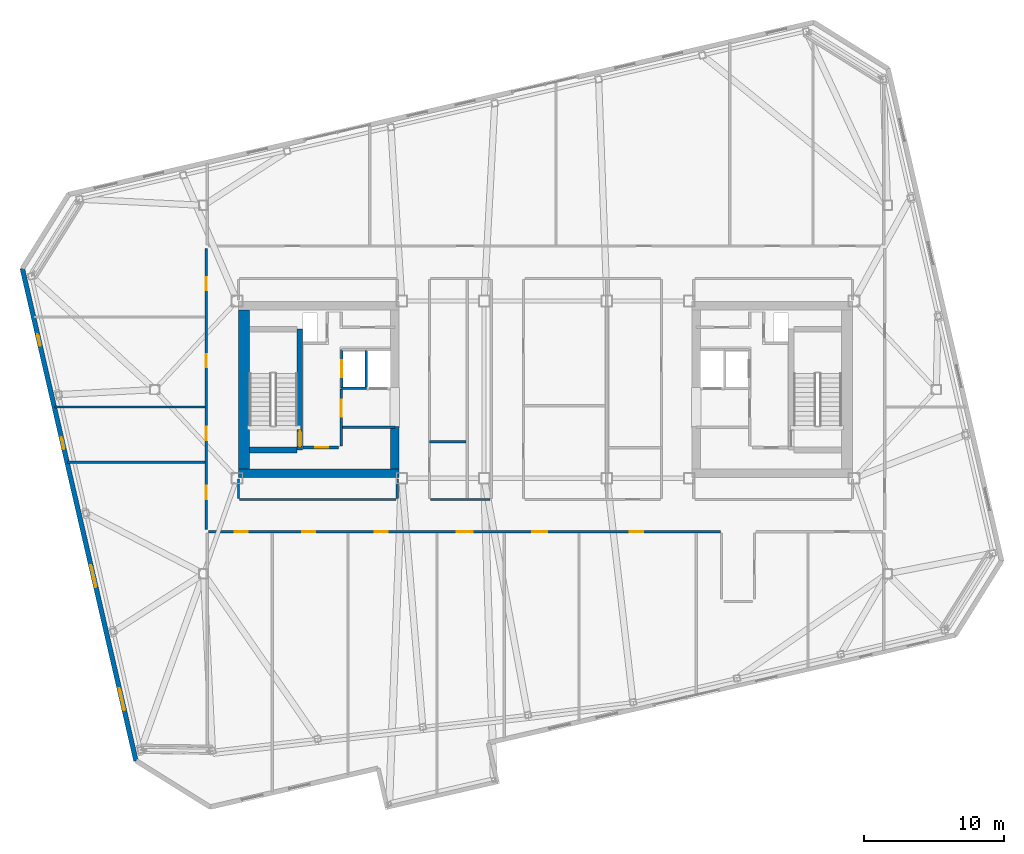
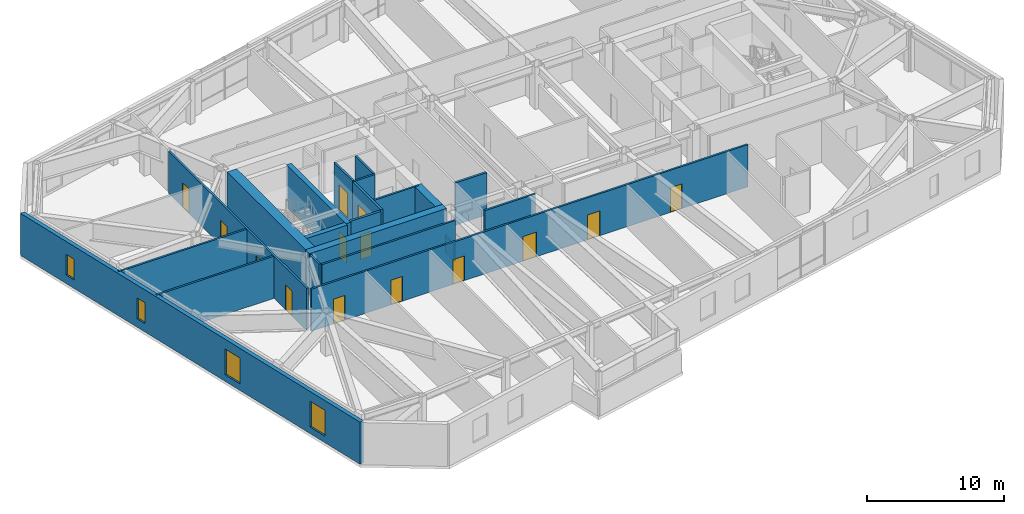
# One storey, part 14 of 21: 21 walls, 14 doors, 4 windows, 18 openings.
"""IFC4 building model written with IfcOpenShell, lengths in metres."""

from ifc_helpers import new_model, si_unit, direction, frame, frame_2d, origin, place, context, subcontext, project, spatial, rectangle, extrude, material, layer, layer_set, type_object, element, fill, save


model = new_model("IFC4")

# Units and contexts
model_context = context("Model", 3, precision=1e-05, world=origin(), true_north=direction((0.0, 1.0)))
body_context = subcontext(model_context, "Body", "Model", "MODEL_VIEW")
ifc_project = project(units=[si_unit("LENGTHUNIT", "METRE"), si_unit("AREAUNIT", "SQUARE_METRE"), si_unit("VOLUMEUNIT", "CUBIC_METRE"), si_unit("PLANEANGLEUNIT", "RADIAN"), si_unit("MASSUNIT", "GRAM", prefix="KILO")], contexts=[model_context])

# Site, building, storey
site_placement = place(None, origin())
site = spatial("IfcSite", under=ifc_project, at=site_placement, CompositionType="ELEMENT")
building_placement = place(site_placement, origin())
building = spatial("IfcBuilding", under=site, at=building_placement, Name="Tavrogorsk Clinical Tower", CompositionType="ELEMENT")
storey_placement = place(building_placement, frame((0.0, 0.0, 281.0)))
storey = spatial("IfcBuildingStorey", under=building, at=storey_placement, Name="L65", CompositionType="ELEMENT", Elevation=281.0)

# Wall, opening, door
ifc_material_1 = material(Name="Concrete B60", Category="concrete")
ifc_layer_1 = layer(ifc_material_1, 0.199951171875)
ifc_layer_set_1 = layer_set([ifc_layer_1], Name="Concrete B60")
wall_type_1 = type_object("IfcWallType", Name="CoreFireWall_200", PredefinedType="SOLIDWALL", material=ifc_layer_set_1)
wall_1_placement = place(storey_placement, frame((-17.3798828125, -4.139892578125, 0.0), z_axis=(0.0, 0.0, 1.0), x_axis=(1.0, 0.0, 0.0)))
wall_1 = element("IfcWall", 1, at=wall_1_placement, inside=storey, type_object=wall_type_1, Name="L65 Core West South Core Room Fire Wall", PredefinedType="SOLIDWALL", context=body_context, shape_type="SweptSolid", body=[
    extrude(rectangle(XDim=2.554931640625, YDim=0.199951171875, at=frame_2d((1.27734375, 0.0))), origin(), (0.0, 0.0, 1.0), 3.739990234375),
])
opening_1_placement = place(wall_1_placement, frame((0.8798828125, 0.0, 0.0)))
opening_1 = element("IfcOpeningElement", 2, at=opening_1_placement, cuts=wall_1, Name="Opening ID-02", PredefinedType="OPENING", context=body_context, shape_type="SweptSolid", body=[
    extrude(rectangle(XDim=0.949951171875, YDim=2.199951171875, at=frame_2d((0.47509765625, 1.10009765625))), frame((0.0, 0.10986328125, 0.0), z_axis=(0.0, -1.0, 0.0), x_axis=(1.0, 0.0, 0.0)), (0.0, 0.0, 1.0), 0.219970703125),
])
ifc_material_2 = material(Name="Laminated timber leaf on aluminium frame", Category="wood")
door_type_1 = type_object("IfcDoorType", Name="InteriorDoor_ID02_950", OperationType="NOTDEFINED", PredefinedType="DOOR", material=ifc_material_2)
door_1_placement = place(opening_1_placement, origin())
door_1 = element("IfcDoor", 3, at=door_1_placement, inside=storey, type_object=door_type_1, Name="L65 Core West South Core Room Door", OperationType="SINGLE_SWING_RIGHT", OverallHeight=2.199951171875, OverallWidth=0.949951171875, PredefinedType="DOOR", context=body_context, shape_type="SweptSolid", body=[
    extrude(rectangle(XDim=0.949951171875, YDim=2.199951171875, at=frame_2d((0.47509765625, 1.10009765625))), frame((0.0, 0.02490234375, 0.0), z_axis=(0.0, -1.0, 0.0), x_axis=(1.0, 0.0, 0.0)), (0.0, 0.0, 1.0), 0.050048828125),
])
fill(opening_1, door_1)

wall_2_placement = place(storey_placement, frame((-14.639892578125, -4.034912109375, 0.0), z_axis=(0.0, 0.0, 1.0), x_axis=(0.0, 1.0, 0.0)))
wall_2 = element("IfcWall", 4, at=wall_2_placement, inside=storey, type_object=wall_type_1, Name="L65 Core West Firefighting Lobby Fire Wall", PredefinedType="SOLIDWALL", context=body_context, shape_type="SweptSolid", body=[
    extrude(rectangle(XDim=4.074951171875, YDim=0.199951171875, at=frame_2d((2.03759765625, 0.0))), origin(), (0.0, 0.0, 1.0), 3.739990234375),
])
opening_2_placement = place(wall_2_placement, frame((2.090087890625, 0.0, 0.0)))
opening_2 = element("IfcOpeningElement", 5, at=opening_2_placement, cuts=wall_2, Name="Opening FD-01", PredefinedType="OPENING", context=body_context, shape_type="SweptSolid", body=[
    extrude(rectangle(XDim=1.199951171875, YDim=2.199951171875, at=frame_2d((0.60009765625, 1.10009765625))), frame((0.0, 0.10986328125, 0.0), z_axis=(0.0, -1.0, 0.0), x_axis=(1.0, 0.0, 0.0)), (0.0, 0.0, 1.0), 0.219970703125),
])
ifc_material_3 = material(Name="Galvanised steel fire-rated door assembly", Category="steel")
door_type_2 = type_object("IfcDoorType", Name="FireDoor_FD01_1200", OperationType="NOTDEFINED", PredefinedType="DOOR", material=ifc_material_3)
door_2_placement = place(opening_2_placement, origin())
door_2 = element("IfcDoor", 6, at=door_2_placement, inside=storey, type_object=door_type_2, Name="L65 Core West Firefighting Lobby Entry Door", OperationType="SINGLE_SWING_RIGHT", OverallHeight=2.199951171875, OverallWidth=1.199951171875, PredefinedType="DOOR", context=body_context, shape_type="SweptSolid", body=[
    extrude(rectangle(XDim=1.199951171875, YDim=2.199951171875, at=frame_2d((0.60009765625, 1.10009765625))), frame((0.0, 0.02490234375, 0.0), z_axis=(0.0, -1.0, 0.0), x_axis=(1.0, 0.0, 0.0)), (0.0, 0.0, 1.0), 0.050048828125),
])
fill(opening_2, door_2)

# Wall
ifc_material_4 = material(Name="Lightweight concrete blockwork B15", Category="masonry")
ifc_layer_2 = layer(ifc_material_4, 0.159912109375)
ifc_layer_set_2 = layer_set([ifc_layer_2], Name="Lightweight concrete blockwork B15")
wall_type_2 = type_object("IfcWallType", Name="PartitionWall_160", PredefinedType="PARTITIONING", material=ifc_layer_set_2)
wall_3_placement = place(storey_placement, frame((-14.534912109375, -2.699951171875, 0.0), z_axis=(0.0, 0.0, 1.0), x_axis=(1.0, 0.0, 0.0)))
element("IfcWall", 7, at=wall_3_placement, inside=storey, type_object=wall_type_2, Name="L65 Core West Freed Mid-Bank North Partition", PredefinedType="PARTITIONING", context=body_context, shape_type="SweptSolid", body=[
    extrude(rectangle(XDim=3.73486328125, YDim=0.159912109375, at=frame_2d((1.867431640625, 0.0))), origin(), (0.0, 0.0, 1.0), 3.739990234375),
])

# Wall, openings, doors
wall_4_placement = place(storey_placement, frame((-24.31005859375, -10.014892578125, 0.0), z_axis=(0.0, 0.0, 1.0), x_axis=(0.0, 1.0, 0.0)))
wall_4 = element("IfcWall", 8, at=wall_4_placement, inside=storey, type_object=wall_type_2, Name="L65 Corridor Partition 01", PredefinedType="PARTITIONING", context=body_context, shape_type="SweptSolid", body=[
    extrude(rectangle(XDim=20.1298828125, YDim=0.159912109375, at=frame_2d((10.06494140625, 0.0))), origin(), (0.0, 0.0, 1.0), 3.739990234375),
])
opening_3_placement = place(wall_4_placement, frame((2.169189453125, 0.0, 0.0)))
opening_3 = element("IfcOpeningElement", 9, at=opening_3_placement, cuts=wall_4, Name="Opening ID-02", PredefinedType="OPENING", context=body_context, shape_type="SweptSolid", body=[
    extrude(rectangle(XDim=0.949951171875, YDim=2.199951171875, at=frame_2d((0.47509765625, 1.10009765625))), frame((0.0, 0.08984375, 0.0), z_axis=(0.0, -1.0, 0.0), x_axis=(1.0, 0.0, 0.0)), (0.0, 0.0, 1.0), 0.179931640625),
])
opening_4_placement = place(wall_4_placement, frame((6.39990234375, 0.0, 0.0)))
opening_4 = element("IfcOpeningElement", 10, at=opening_4_placement, cuts=wall_4, Name="Opening ID-02", PredefinedType="OPENING", context=body_context, shape_type="SweptSolid", body=[
    extrude(rectangle(XDim=0.949951171875, YDim=2.199951171875, at=frame_2d((0.47509765625, 1.10009765625))), frame((0.0, 0.08984375, 0.0), z_axis=(0.0, -1.0, 0.0), x_axis=(1.0, 0.0, 0.0)), (0.0, 0.0, 1.0), 0.179931640625),
])
opening_5_placement = place(wall_4_placement, frame((11.60009765625, 0.0, 0.0)))
opening_5 = element("IfcOpeningElement", 11, at=opening_5_placement, cuts=wall_4, Name="Opening ID-02", PredefinedType="OPENING", context=body_context, shape_type="SweptSolid", body=[
    extrude(rectangle(XDim=0.949951171875, YDim=2.199951171875, at=frame_2d((0.47509765625, 1.10009765625))), frame((0.0, 0.08984375, 0.0), z_axis=(0.0, -1.0, 0.0), x_axis=(1.0, 0.0, 0.0)), (0.0, 0.0, 1.0), 0.179931640625),
])
opening_6_placement = place(wall_4_placement, frame((17.130859375, 0.0, 0.0)))
opening_6 = element("IfcOpeningElement", 12, at=opening_6_placement, cuts=wall_4, Name="Opening ID-02", PredefinedType="OPENING", context=body_context, shape_type="SweptSolid", body=[
    extrude(rectangle(XDim=0.949951171875, YDim=2.199951171875, at=frame_2d((0.47509765625, 1.10009765625))), frame((0.0, 0.08984375, 0.0), z_axis=(0.0, -1.0, 0.0), x_axis=(1.0, 0.0, 0.0)), (0.0, 0.0, 1.0), 0.179931640625),
])
door_3_placement = place(opening_3_placement, origin())
door_3 = element("IfcDoor", 13, at=door_3_placement, inside=storey, type_object=door_type_1, Name="L65 W Solarium Day Room & Lounge 1 Door", OperationType="SINGLE_SWING_RIGHT", OverallHeight=2.199951171875, OverallWidth=0.949951171875, PredefinedType="DOOR", context=body_context, shape_type="SweptSolid", body=[
    extrude(rectangle(XDim=0.949951171875, YDim=2.199951171875, at=frame_2d((0.47509765625, 1.10009765625))), frame((0.0, 0.02490234375, 0.0), z_axis=(0.0, -1.0, 0.0), x_axis=(1.0, 0.0, 0.0)), (0.0, 0.0, 1.0), 0.050048828125),
])
fill(opening_3, door_3)
door_4_placement = place(opening_4_placement, origin())
door_4 = element("IfcDoor", 14, at=door_4_placement, inside=storey, type_object=door_type_1, Name="L65 W Rehabilitation Therapy Suite 2 Door", OperationType="SINGLE_SWING_LEFT", OverallHeight=2.199951171875, OverallWidth=0.949951171875, PredefinedType="DOOR", context=body_context, shape_type="SweptSolid", body=[
    extrude(rectangle(XDim=0.949951171875, YDim=2.199951171875, at=frame_2d((0.47509765625, 1.10009765625))), frame((0.0, 0.02490234375, 0.0), z_axis=(0.0, -1.0, 0.0), x_axis=(1.0, 0.0, 0.0)), (0.0, 0.0, 1.0), 0.050048828125),
])
fill(opening_4, door_4)
door_5_placement = place(opening_5_placement, origin())
door_5 = element("IfcDoor", 15, at=door_5_placement, inside=storey, type_object=door_type_1, Name="L65 W Sub-Acute Observation Suite 3 Door", OperationType="SINGLE_SWING_RIGHT", OverallHeight=2.199951171875, OverallWidth=0.949951171875, PredefinedType="DOOR", context=body_context, shape_type="SweptSolid", body=[
    extrude(rectangle(XDim=0.949951171875, YDim=2.199951171875, at=frame_2d((0.47509765625, 1.10009765625))), frame((0.0, 0.02490234375, 0.0), z_axis=(0.0, -1.0, 0.0), x_axis=(1.0, 0.0, 0.0)), (0.0, 0.0, 1.0), 0.050048828125),
])
fill(opening_5, door_5)
door_6_placement = place(opening_6_placement, origin())
door_6 = element("IfcDoor", 16, at=door_6_placement, inside=storey, type_object=door_type_1, Name="L65 W Family Consultation Lounge 4 Door", OperationType="SINGLE_SWING_LEFT", OverallHeight=2.199951171875, OverallWidth=0.949951171875, PredefinedType="DOOR", context=body_context, shape_type="SweptSolid", body=[
    extrude(rectangle(XDim=0.949951171875, YDim=2.199951171875, at=frame_2d((0.47509765625, 1.10009765625))), frame((0.0, 0.02490234375, 0.0), z_axis=(0.0, -1.0, 0.0), x_axis=(1.0, 0.0, 0.0)), (0.0, 0.0, 1.0), 0.050048828125),
])
fill(opening_6, door_6)

wall_5_placement = place(storey_placement, frame((12.534912109375, -10.179931640625, 0.0), z_axis=(0.0, 0.0, 1.0), x_axis=(-1.0, 0.0, 0.0)))
wall_5 = element("IfcWall", 17, at=wall_5_placement, inside=storey, type_object=wall_type_2, Name="L65 Corridor Partition 08", PredefinedType="PARTITIONING", context=body_context, shape_type="SweptSolid", body=[
    extrude(rectangle(XDim=36.679931640625, YDim=0.159912109375, at=frame_2d((18.33984375, 0.0))), origin(), (0.0, 0.0, 1.0), 3.739990234375),
])
opening_7_placement = place(wall_5_placement, frame((33.85595703125, 0.0, 0.0)))
opening_7 = element("IfcOpeningElement", 18, at=opening_7_placement, cuts=wall_5, Name="Opening ID-02", PredefinedType="OPENING", context=body_context, shape_type="SweptSolid", body=[
    extrude(rectangle(XDim=0.949951171875, YDim=2.199951171875, at=frame_2d((0.47509765625, 1.10009765625))), frame((0.0, 0.08984375, 0.0), z_axis=(0.0, -1.0, 0.0), x_axis=(1.0, 0.0, 0.0)), (0.0, 0.0, 1.0), 0.179931640625),
])
opening_8_placement = place(wall_5_placement, frame((29.014892578125, 0.0, 0.0)))
opening_8 = element("IfcOpeningElement", 19, at=opening_8_placement, cuts=wall_5, Name="Opening ID-02", PredefinedType="OPENING", context=body_context, shape_type="SweptSolid", body=[
    extrude(rectangle(XDim=0.949951171875, YDim=2.199951171875, at=frame_2d((0.47509765625, 1.10009765625))), frame((0.0, 0.08984375, 0.0), z_axis=(0.0, -1.0, 0.0), x_axis=(1.0, 0.0, 0.0)), (0.0, 0.0, 1.0), 0.179931640625),
])
opening_9_placement = place(wall_5_placement, frame((23.830078125, 0.0, 0.0)))
opening_9 = element("IfcOpeningElement", 20, at=opening_9_placement, cuts=wall_5, Name="Opening ID-02", PredefinedType="OPENING", context=body_context, shape_type="SweptSolid", body=[
    extrude(rectangle(XDim=0.949951171875, YDim=2.199951171875, at=frame_2d((0.47509765625, 1.10009765625))), frame((0.0, 0.08984375, 0.0), z_axis=(0.0, -1.0, 0.0), x_axis=(1.0, 0.0, 0.0)), (0.0, 0.0, 1.0), 0.179931640625),
])
opening_10_placement = place(wall_5_placement, frame((17.7509765625, 0.0, 0.0)))
opening_10 = element("IfcOpeningElement", 21, at=opening_10_placement, cuts=wall_5, Name="Opening ID-06", PredefinedType="OPENING", context=body_context, shape_type="SweptSolid", body=[
    extrude(rectangle(XDim=1.14990234375, YDim=2.199951171875, at=frame_2d((0.574951171875, 1.10009765625))), frame((0.0, 0.08984375, 0.0), z_axis=(0.0, -1.0, 0.0), x_axis=(1.0, 0.0, 0.0)), (0.0, 0.0, 1.0), 0.179931640625),
])
opening_11_placement = place(wall_5_placement, frame((12.426025390625, 0.0, 0.0)))
opening_11 = element("IfcOpeningElement", 22, at=opening_11_placement, cuts=wall_5, Name="Opening ID-04", PredefinedType="OPENING", context=body_context, shape_type="SweptSolid", body=[
    extrude(rectangle(XDim=1.050048828125, YDim=2.199951171875, at=frame_2d((0.52490234375, 1.10009765625))), frame((0.0, 0.08984375, 0.0), z_axis=(0.0, -1.0, 0.0), x_axis=(1.0, 0.0, 0.0)), (0.0, 0.0, 1.0), 0.179931640625),
])
opening_12_placement = place(wall_5_placement, frame((5.544921875, 0.0, 0.0)))
opening_12 = element("IfcOpeningElement", 23, at=opening_12_placement, cuts=wall_5, Name="Opening ID-02", PredefinedType="OPENING", context=body_context, shape_type="SweptSolid", body=[
    extrude(rectangle(XDim=0.949951171875, YDim=2.199951171875, at=frame_2d((0.47509765625, 1.10009765625))), frame((0.0, 0.08984375, 0.0), z_axis=(0.0, -1.0, 0.0), x_axis=(1.0, 0.0, 0.0)), (0.0, 0.0, 1.0), 0.179931640625),
])
ifc_material_5 = material(Name="Antibacterial HPL consultation door on aluminium frame", Category="aluminium")
door_type_3 = type_object("IfcDoorType", Name="ConsultDoor_ID04_1050", OperationType="NOTDEFINED", PredefinedType="DOOR", material=ifc_material_5)
door_7_placement = place(opening_11_placement, origin())
door_7 = element("IfcDoor", 24, at=door_7_placement, inside=storey, type_object=door_type_3, Name="L65 South Orthotics & Mobility Equipment Store 04 Door", OperationType="SINGLE_SWING_RIGHT", OverallHeight=2.199951171875, OverallWidth=1.050048828125, PredefinedType="DOOR", context=body_context, shape_type="SweptSolid", body=[
    extrude(rectangle(XDim=1.050048828125, YDim=2.199951171875, at=frame_2d((0.52490234375, 1.10009765625))), frame((0.0, 0.02490234375, 0.0), z_axis=(0.0, -1.0, 0.0), x_axis=(1.0, 0.0, 0.0)), (0.0, 0.0, 1.0), 0.050048828125),
])
fill(opening_11, door_7)
door_8_placement = place(opening_7_placement, origin())
door_8 = element("IfcDoor", 25, at=door_8_placement, inside=storey, type_object=door_type_1, Name="L65 South Patient Mobility Lounge 01 Door", OperationType="SINGLE_SWING_RIGHT", OverallHeight=2.199951171875, OverallWidth=0.949951171875, PredefinedType="DOOR", context=body_context, shape_type="SweptSolid", body=[
    extrude(rectangle(XDim=0.949951171875, YDim=2.199951171875, at=frame_2d((0.47509765625, 1.10009765625))), frame((0.0, 0.02490234375, 0.0), z_axis=(0.0, -1.0, 0.0), x_axis=(1.0, 0.0, 0.0)), (0.0, 0.0, 1.0), 0.050048828125),
])
fill(opening_7, door_8)
door_9_placement = place(opening_8_placement, origin())
door_9 = element("IfcDoor", 26, at=door_9_placement, inside=storey, type_object=door_type_1, Name="L65 South Orthotics & Mobility Equipment Store 02 Door", OperationType="SINGLE_SWING_LEFT", OverallHeight=2.199951171875, OverallWidth=0.949951171875, PredefinedType="DOOR", context=body_context, shape_type="SweptSolid", body=[
    extrude(rectangle(XDim=0.949951171875, YDim=2.199951171875, at=frame_2d((0.47509765625, 1.10009765625))), frame((0.0, 0.02490234375, 0.0), z_axis=(0.0, -1.0, 0.0), x_axis=(1.0, 0.0, 0.0)), (0.0, 0.0, 1.0), 0.050048828125),
])
fill(opening_8, door_9)
door_10_placement = place(opening_9_placement, origin())
door_10 = element("IfcDoor", 27, at=door_10_placement, inside=storey, type_object=door_type_1, Name="L65 South Patient Mobility Lounge 03A Door", OperationType="SINGLE_SWING_RIGHT", OverallHeight=2.199951171875, OverallWidth=0.949951171875, PredefinedType="DOOR", context=body_context, shape_type="SweptSolid", body=[
    extrude(rectangle(XDim=0.949951171875, YDim=2.199951171875, at=frame_2d((0.47509765625, 1.10009765625))), frame((0.0, 0.02490234375, 0.0), z_axis=(0.0, -1.0, 0.0), x_axis=(1.0, 0.0, 0.0)), (0.0, 0.0, 1.0), 0.050048828125),
])
fill(opening_9, door_10)
door_11_placement = place(opening_12_placement, origin())
door_11 = element("IfcDoor", 28, at=door_11_placement, inside=storey, type_object=door_type_1, Name="L65 South Patient Mobility Lounge 05 Door", OperationType="SINGLE_SWING_LEFT", OverallHeight=2.199951171875, OverallWidth=0.949951171875, PredefinedType="DOOR", context=body_context, shape_type="SweptSolid", body=[
    extrude(rectangle(XDim=0.949951171875, YDim=2.199951171875, at=frame_2d((0.47509765625, 1.10009765625))), frame((0.0, 0.02490234375, 0.0), z_axis=(0.0, -1.0, 0.0), x_axis=(1.0, 0.0, 0.0)), (0.0, 0.0, 1.0), 0.050048828125),
])
fill(opening_12, door_11)
ifc_material_6 = material(Name="Antibacterial HPL procedure door on aluminium frame", Category="aluminium")
door_type_4 = type_object("IfcDoorType", Name="LabDoor_ID06_1150", OperationType="NOTDEFINED", PredefinedType="DOOR", material=ifc_material_6)
door_12_placement = place(opening_10_placement, origin())
door_12 = element("IfcDoor", 29, at=door_12_placement, inside=storey, type_object=door_type_4, Name="L65 South Speech & Occupational Therapy Office 03B Door", OperationType="SINGLE_SWING_LEFT", OverallHeight=2.199951171875, OverallWidth=1.14990234375, PredefinedType="DOOR", context=body_context, shape_type="SweptSolid", body=[
    extrude(rectangle(XDim=1.14990234375, YDim=2.199951171875, at=frame_2d((0.574951171875, 1.10009765625))), frame((0.0, 0.02490234375, 0.0), z_axis=(0.0, -1.0, 0.0), x_axis=(1.0, 0.0, 0.0)), (0.0, 0.0, 1.0), 0.050048828125),
])
fill(opening_10, door_12)

# Walls
wall_6_placement = place(storey_placement, frame((-8.235107421875, -7.8701171875, 0.0), z_axis=(0.0, 0.0, 1.0), x_axis=(1.0, 0.0, 0.0)))
element("IfcWall", 30, at=wall_6_placement, inside=storey, type_object=wall_type_2, Name="L65 Corridor Partition 22", PredefinedType="PARTITIONING", context=body_context, shape_type="SweptSolid", body=[
    extrude(rectangle(XDim=4.27001953125, YDim=0.159912109375, at=frame_2d((2.135009765625, 0.0))), origin(), (0.0, 0.0, 1.0), 3.739990234375),
])
wall_7_placement = place(storey_placement, frame((-10.6298828125, -7.784912109375, 0.0), z_axis=(0.0, 0.0, 1.0), x_axis=(0.0, 1.0, 0.0)))
element("IfcWall", 31, at=wall_7_placement, inside=storey, type_object=wall_type_2, Name="L65 Corridor Partition 23", PredefinedType="PARTITIONING", context=body_context, shape_type="SweptSolid", body=[
    extrude(rectangle(XDim=1.364990234375, YDim=0.159912109375, at=frame_2d((0.6826171875, 0.0))), origin(), (0.0, 0.0, 1.0), 1.534912109375),
])
wall_8_placement = place(storey_placement, frame((-22.0, -6.419921875, 0.0), z_axis=(0.0, 0.0, 1.0), x_axis=(0.0, -1.0, 0.0)))
element("IfcWall", 32, at=wall_8_placement, inside=storey, type_object=wall_type_2, Name="L65 Corridor Partition 27", PredefinedType="PARTITIONING", context=body_context, shape_type="SweptSolid", body=[
    extrude(rectangle(XDim=1.364990234375, YDim=0.159912109375, at=frame_2d((0.6826171875, 0.0))), origin(), (0.0, 0.0, 1.0), 3.739990234375),
])
wall_9_placement = place(storey_placement, frame((-21.9150390625, -7.8701171875, 0.0), z_axis=(0.0, 0.0, 1.0), x_axis=(1.0, 0.0, 0.0)))
element("IfcWall", 33, at=wall_9_placement, inside=storey, type_object=wall_type_2, Name="L65 Corridor Partition 28", PredefinedType="PARTITIONING", context=body_context, shape_type="SweptSolid", body=[
    extrude(rectangle(XDim=11.199951171875, YDim=0.159912109375, at=frame_2d((5.60009765625, 0.0))), origin(), (0.0, 0.0, 1.0), 3.739990234375),
])
wall_10_placement = place(storey_placement, frame((-34.26171875, -5.199951171875, 0.0), z_axis=(0.0, 0.0, 1.0), x_axis=(1.0, 0.0, 0.0)))
element("IfcWall", 34, at=wall_10_placement, inside=storey, type_object=wall_type_2, Name="L65 W Wing Divider 1", PredefinedType="PARTITIONING", context=body_context, shape_type="SweptSolid", body=[
    extrude(rectangle(XDim=9.86669921875, YDim=0.159912109375, at=frame_2d((4.933349609375, 0.0))), origin(), (0.0, 0.0, 1.0), 3.739990234375),
])
wall_11_placement = place(storey_placement, frame((-35.173583984375, -1.25, 0.0), z_axis=(0.0, 0.0, 1.0), x_axis=(1.0, 0.0, 0.0)))
element("IfcWall", 35, at=wall_11_placement, inside=storey, type_object=wall_type_2, Name="L65 W Wing Divider 2", PredefinedType="PARTITIONING", context=body_context, shape_type="SweptSolid", body=[
    extrude(rectangle(XDim=10.778564453125, YDim=0.159912109375, at=frame_2d((5.38916015625, 0.0))), origin(), (0.0, 0.0, 1.0), 3.739990234375),
])
ifc_material_7 = material(Name="Lightweight concrete blockwork B20", Category="masonry")
ifc_layer_3 = layer(ifc_material_7, 0.179931640625)
ifc_layer_set_3 = layer_set([ifc_layer_3], Name="Lightweight concrete blockwork B20")
wall_type_3 = type_object("IfcWallType", Name="PartitionWall_180", PredefinedType="PARTITIONING", material=ifc_layer_set_3)
wall_12_placement = place(storey_placement, frame((-8.31494140625, -3.75, 0.0), z_axis=(0.0, 0.0, 1.0), x_axis=(1.0, 0.0, 0.0)))
element("IfcWall", 36, at=wall_12_placement, inside=storey, type_object=wall_type_3, Name="L65 Central Spine Partition 4", PredefinedType="PARTITIONING", context=body_context, shape_type="SweptSolid", body=[
    extrude(rectangle(XDim=2.619873046875, YDim=0.179931640625, at=frame_2d((1.31005859375, 0.0))), origin(), (0.0, 0.0, 1.0), 3.739990234375),
])

# Wall, openings, windows
ifc_material_8 = material(Name="Precast concrete B45 with limestone cladding", Category="masonry")
ifc_layer_4 = layer(ifc_material_8, 0.340087890625)
ifc_layer_set_4 = layer_set([ifc_layer_4], Name="Precast concrete B45 with limestone cladding")
wall_type_4 = type_object("IfcWallType", Name="PrecastLimestoneWall_340", PredefinedType="STANDARD", material=ifc_layer_set_4)
wall_13_placement = place(storey_placement, frame((-37.48583984375, 8.676025390625, 0.0), z_axis=(0.0, 0.0, 1.0), x_axis=(0.224953091034, -0.974369594576, 0.0)))
wall_13 = element("IfcWall", 37, at=wall_13_placement, inside=storey, type_object=wall_type_4, Name="L65 W Pleated Limestone Wing Wall", PredefinedType="STANDARD", context=body_context, shape_type="SweptSolid", body=[
    extrude(rectangle(XDim=36.199951171875, YDim=0.340087890625, at=frame_2d((18.10009765625, 0.0))), origin(), (0.0, 0.0, 1.0), 3.739990234375),
])
opening_13_placement = place(wall_13_placement, frame((4.824951171875, 0.0, 0.75)))
opening_13 = element("IfcOpeningElement", 38, at=opening_13_placement, cuts=wall_13, Name="Opening WN-06", PredefinedType="OPENING", context=body_context, shape_type="SweptSolid", body=[
    extrude(rectangle(XDim=0.85009765625, YDim=1.85009765625, at=frame_2d((0.425048828125, 0.925048828125))), frame((0.0, 0.179931640625, 0.0), z_axis=(0.0, -1.0, 0.0), x_axis=(1.0, 0.0, 0.0)), (0.0, 0.0, 1.0), 0.360107421875),
])
opening_14_placement = place(wall_13_placement, frame((12.425048828125, 0.0, 0.75)))
opening_14 = element("IfcOpeningElement", 39, at=opening_14_placement, cuts=wall_13, Name="Opening WN-06", PredefinedType="OPENING", context=body_context, shape_type="SweptSolid", body=[
    extrude(rectangle(XDim=0.85009765625, YDim=1.85009765625, at=frame_2d((0.425048828125, 0.925048828125))), frame((0.0, 0.179931640625, 0.0), z_axis=(0.0, -1.0, 0.0), x_axis=(1.0, 0.0, 0.0)), (0.0, 0.0, 1.0), 0.360107421875),
])
opening_15_placement = place(wall_13_placement, frame((21.824951171875, 0.0, 0.580078125)))
opening_15 = element("IfcOpeningElement", 40, at=opening_15_placement, cuts=wall_13, Name="Opening WN-07", PredefinedType="OPENING", context=body_context, shape_type="SweptSolid", body=[
    extrude(rectangle(XDim=1.60009765625, YDim=2.300048828125, at=frame_2d((0.800048828125, 1.14990234375))), frame((0.0, 0.179931640625, 0.0), z_axis=(0.0, -1.0, 0.0), x_axis=(1.0, 0.0, 0.0)), (0.0, 0.0, 1.0), 0.360107421875),
])
opening_16_placement = place(wall_13_placement, frame((30.875, 0.0, 0.580078125)))
opening_16 = element("IfcOpeningElement", 41, at=opening_16_placement, cuts=wall_13, Name="Opening WN-07", PredefinedType="OPENING", context=body_context, shape_type="SweptSolid", body=[
    extrude(rectangle(XDim=1.60009765625, YDim=2.300048828125, at=frame_2d((0.800048828125, 1.14990234375))), frame((0.0, 0.179931640625, 0.0), z_axis=(0.0, -1.0, 0.0), x_axis=(1.0, 0.0, 0.0)), (0.0, 0.0, 1.0), 0.360107421875),
])
ifc_material_9 = material(Name="Thermally broken aluminium frame and triple IGU", Category="aluminium")
window_type_1 = type_object("IfcWindowType", Name="MullionSubWin_850x1850", PartitioningType="SINGLE_PANEL", PredefinedType="WINDOW", material=ifc_material_9)
window_1_placement = place(opening_13_placement, origin())
window_1 = element("IfcWindow", 42, at=window_1_placement, inside=storey, type_object=window_type_1, Name="L65 W Pleat Mullion Window 1B", OverallHeight=1.85009765625, OverallWidth=0.85009765625, PartitioningType="SINGLE_PANEL", PredefinedType="WINDOW", context=body_context, shape_type="SweptSolid", body=[
    extrude(rectangle(XDim=0.85009765625, YDim=1.85009765625, at=frame_2d((0.425048828125, 0.925048828125))), frame((0.0, 0.030029296875, 0.0), z_axis=(0.0, -1.0, 0.0), x_axis=(1.0, 0.0, 0.0)), (0.0, 0.0, 1.0), 0.06005859375),
])
fill(opening_13, window_1)
window_2_placement = place(opening_14_placement, origin())
window_2 = element("IfcWindow", 43, at=window_2_placement, inside=storey, type_object=window_type_1, Name="L65 W Pleat Mullion Window 2A", OverallHeight=1.85009765625, OverallWidth=0.85009765625, PartitioningType="SINGLE_PANEL", PredefinedType="WINDOW", context=body_context, shape_type="SweptSolid", body=[
    extrude(rectangle(XDim=0.85009765625, YDim=1.85009765625, at=frame_2d((0.425048828125, 0.925048828125))), frame((0.0, 0.030029296875, 0.0), z_axis=(0.0, -1.0, 0.0), x_axis=(1.0, 0.0, 0.0)), (0.0, 0.0, 1.0), 0.06005859375),
])
fill(opening_14, window_2)
ifc_material_10 = material(Name="Thermally broken aluminium frame and triple IGU", Category="aluminium")
window_type_2 = type_object("IfcWindowType", Name="PleatSlotWin_1600x2300", PartitioningType="SINGLE_PANEL", PredefinedType="WINDOW", material=ifc_material_10)
window_3_placement = place(opening_15_placement, origin())
window_3 = element("IfcWindow", 44, at=window_3_placement, inside=storey, type_object=window_type_2, Name="L65 W Pleat Slot Window 3", OverallHeight=2.300048828125, OverallWidth=1.60009765625, PartitioningType="SINGLE_PANEL", PredefinedType="WINDOW", context=body_context, shape_type="SweptSolid", body=[
    extrude(rectangle(XDim=1.60009765625, YDim=2.300048828125, at=frame_2d((0.800048828125, 1.14990234375))), frame((0.0, 0.030029296875, 0.0), z_axis=(0.0, -1.0, 0.0), x_axis=(1.0, 0.0, 0.0)), (0.0, 0.0, 1.0), 0.06005859375),
])
fill(opening_15, window_3)
window_4_placement = place(opening_16_placement, origin())
window_4 = element("IfcWindow", 45, at=window_4_placement, inside=storey, type_object=window_type_2, Name="L65 W Pleat Slot Window 4", OverallHeight=2.300048828125, OverallWidth=1.60009765625, PartitioningType="SINGLE_PANEL", PredefinedType="WINDOW", context=body_context, shape_type="SweptSolid", body=[
    extrude(rectangle(XDim=1.60009765625, YDim=2.300048828125, at=frame_2d((0.800048828125, 1.14990234375))), frame((0.0, 0.030029296875, 0.0), z_axis=(0.0, -1.0, 0.0), x_axis=(1.0, 0.0, 0.0)), (0.0, 0.0, 1.0), 0.06005859375),
])
fill(opening_16, window_4)

# Wall, opening, door
ifc_material_11 = material(Name="Lightweight concrete blockwork B25", Category="masonry")
ifc_layer_5 = layer(ifc_material_11, 0.159912109375)
ifc_layer_set_5 = layer_set([ifc_layer_5], Name="Lightweight concrete blockwork B25")
wall_type_5 = type_object("IfcWallType", Name="ShaftWall_160", PredefinedType="PARTITIONING", material=ifc_layer_set_5)
wall_14_placement = place(storey_placement, frame((-14.60009765625, 0.1201171875, 0.0), z_axis=(0.0, 0.0, 1.0), x_axis=(0.0, 1.0, 0.0)))
wall_14 = element("IfcWall", 46, at=wall_14_placement, inside=storey, type_object=wall_type_5, Name="L65 FFL-W Firefighting Lift Front Wall", PredefinedType="PARTITIONING", context=body_context, shape_type="SweptSolid", body=[
    extrude(rectangle(XDim=2.739990234375, YDim=0.159912109375, at=frame_2d((1.3701171875, 0.0))), origin(), (0.0, 0.0, 1.0), 3.739990234375),
])
opening_17_placement = place(wall_14_placement, frame((0.77001953125, 0.0, 0.0)))
opening_17 = element("IfcOpeningElement", 47, at=opening_17_placement, cuts=wall_14, Name="Opening LD", PredefinedType="OPENING", context=body_context, shape_type="SweptSolid", body=[
    extrude(rectangle(XDim=1.199951171875, YDim=2.199951171875, at=frame_2d((0.60009765625, 1.10009765625))), frame((0.0, 0.08984375, 0.0), z_axis=(0.0, -1.0, 0.0), x_axis=(1.0, 0.0, 0.0)), (0.0, 0.0, 1.0), 0.179931640625),
])
ifc_material_12 = material(Name="Brushed stainless steel AISI 304 sliding doors", Category="steel")
door_type_5 = type_object("IfcDoorType", Name="LiftLandingDoor_LD_1200", OperationType="SLIDING_TO_LEFT", PredefinedType="DOOR", material=ifc_material_12)
door_13_placement = place(opening_17_placement, origin())
door_13 = element("IfcDoor", 48, at=door_13_placement, inside=storey, type_object=door_type_5, Name="L65 FFL-W Sliding Lift Landing Door", OperationType="SLIDING_TO_LEFT", OverallHeight=2.199951171875, OverallWidth=1.199951171875, PredefinedType="DOOR", context=body_context, shape_type="SweptSolid", body=[
    extrude(rectangle(XDim=1.199951171875, YDim=2.199951171875, at=frame_2d((0.60009765625, 1.10009765625))), frame((0.0, 0.02490234375, 0.0), z_axis=(0.0, -1.0, 0.0), x_axis=(1.0, 0.0, 0.0)), (0.0, 0.0, 1.0), 0.050048828125),
])
fill(opening_17, door_13)

# Walls
wall_15_placement = place(storey_placement, frame((-14.60009765625, 0.10009765625, 0.0), z_axis=(0.0, 0.0, 1.0), x_axis=(1.0, 0.0, 0.0)))
element("IfcWall", 49, at=wall_15_placement, inside=storey, type_object=wall_type_5, Name="L65 FFL-W Shaft South Wall", PredefinedType="PARTITIONING", context=body_context, shape_type="SweptSolid", body=[
    extrude(rectangle(XDim=1.760009765625, YDim=0.159912109375, at=frame_2d((0.8798828125, 0.0))), origin(), (0.0, 0.0, 1.0), 3.739990234375),
])
wall_16_placement = place(storey_placement, frame((-12.840087890625, 0.179931640625, 0.0), z_axis=(0.0, 0.0, 1.0), x_axis=(0.0, 1.0, 0.0)))
element("IfcWall", 50, at=wall_16_placement, inside=storey, type_object=wall_type_5, Name="L65 FFL-W Shaft Back Wall", PredefinedType="PARTITIONING", context=body_context, shape_type="SweptSolid", body=[
    extrude(rectangle(XDim=2.6201171875, YDim=0.159912109375, at=frame_2d((1.31005859375, 0.0))), origin(), (0.0, 0.0, 1.0), 3.739990234375),
])

# Wall, opening, door
ifc_material_13 = material(Name="Concrete B80", Category="concrete")
ifc_layer_6 = layer(ifc_material_13, 0.39990234375)
ifc_layer_set_6 = layer_set([ifc_layer_6], Name="Concrete B80")
wall_type_6 = type_object("IfcWallType", Name="ShearWall_400", PredefinedType="SHEAR", material=ifc_layer_set_6)
wall_17_placement = place(storey_placement, frame((-17.60009765625, -4.324951171875, 0.0), z_axis=(0.0, 0.0, 1.0), x_axis=(0.0, 1.0, 0.0)))
wall_17 = element("IfcWall", 51, at=wall_17_placement, inside=storey, type_object=wall_type_6, Name="L65 Core West Stair Shaft Inner Shear Wall", PredefinedType="SHEAR", context=body_context, shape_type="SweptSolid", body=[
    extrude(rectangle(XDim=8.64990234375, YDim=0.39990234375, at=frame_2d((4.324951171875, 0.0))), origin(), (0.0, 0.0, 1.0), 3.739990234375),
])
opening_18_placement = place(wall_17_placement, frame((0.25, 0.0, 0.0)))
opening_18 = element("IfcOpeningElement", 52, at=opening_18_placement, cuts=wall_17, Name="Opening SD-01", PredefinedType="OPENING", context=body_context, shape_type="SweptSolid", body=[
    extrude(rectangle(XDim=1.10009765625, YDim=2.199951171875, at=frame_2d((0.550048828125, 1.10009765625))), frame((0.0, 0.2099609375, 0.0), z_axis=(0.0, -1.0, 0.0), x_axis=(1.0, 0.0, 0.0)), (0.0, 0.0, 1.0), 0.419921875),
])
ifc_material_14 = material(Name="Galvanised steel smoke-tight fire door assembly", Category="steel")
door_type_6 = type_object("IfcDoorType", Name="StairFireDoor_SD01_1100", OperationType="NOTDEFINED", PredefinedType="DOOR", material=ifc_material_14)
door_14_placement = place(opening_18_placement, origin())
door_14 = element("IfcDoor", 53, at=door_14_placement, inside=storey, type_object=door_type_6, Name="L65 ST-W Exit Stair Door", OperationType="SINGLE_SWING_RIGHT", OverallHeight=2.199951171875, OverallWidth=1.10009765625, PredefinedType="DOOR", context=body_context, shape_type="SweptSolid", body=[
    extrude(rectangle(XDim=1.10009765625, YDim=2.199951171875, at=frame_2d((0.550048828125, 1.10009765625))), frame((0.0, 0.02490234375, 0.0), z_axis=(0.0, -1.0, 0.0), x_axis=(1.0, 0.0, 0.0)), (0.0, 0.0, 1.0), 0.050048828125),
])
fill(opening_18, door_14)

# Walls
wall_18_placement = place(storey_placement, frame((-21.199951171875, -4.324951171875, 0.0), z_axis=(0.0, 0.0, 1.0), x_axis=(1.0, 0.0, 0.0)))
element("IfcWall", 54, at=wall_18_placement, inside=storey, type_object=wall_type_6, Name="L65 Core West Stair Shaft South Shear Wall", PredefinedType="SHEAR", context=body_context, shape_type="SweptSolid", body=[
    extrude(rectangle(XDim=3.39990234375, YDim=0.39990234375, at=frame_2d((1.699951171875, 0.0))), origin(), (0.0, 0.0, 1.0), 3.739990234375),
])
ifc_material_15 = material(Name="Concrete B80", Category="concrete")
ifc_layer_7 = layer(ifc_material_15, 0.60009765625)
ifc_layer_set_7 = layer_set([ifc_layer_7], Name="Concrete B80")
wall_type_7 = type_object("IfcWallType", Name="ShearWall_600", PredefinedType="SHEAR", material=ifc_layer_set_7)
wall_19_placement = place(storey_placement, frame((-22.0, -6.0, 0.0), z_axis=(0.0, 0.0, 1.0), x_axis=(1.0, 0.0, 0.0)))
element("IfcWall", 55, at=wall_19_placement, inside=storey, type_object=wall_type_7, Name="L65 Core West South Shear Wall", PredefinedType="SHEAR", context=body_context, shape_type="SweptSolid", body=[
    extrude(rectangle(XDim=11.5, YDim=0.60009765625, at=frame_2d((5.75, 0.0))), origin(), (0.0, 0.0, 1.0), 3.739990234375),
])
wall_20_placement = place(storey_placement, frame((-10.800048828125, -5.699951171875, 0.0), z_axis=(0.0, 0.0, 1.0), x_axis=(0.0, 1.0, 0.0)))
element("IfcWall", 56, at=wall_20_placement, inside=storey, type_object=wall_type_7, Name="L65 Core West Inner South Pier", PredefinedType="SHEAR", context=body_context, shape_type="SweptSolid", body=[
    extrude(rectangle(XDim=3.050048828125, YDim=0.60009765625, at=frame_2d((1.52490234375, 0.0))), origin(), (0.0, 0.0, 1.0), 3.739990234375),
])
ifc_material_16 = material(Name="Concrete B80", Category="concrete")
ifc_layer_8 = layer(ifc_material_16, 0.800048828125)
ifc_layer_set_8 = layer_set([ifc_layer_8], Name="Concrete B80")
wall_type_8 = type_object("IfcWallType", Name="ShearWall_800", PredefinedType="SHEAR", material=ifc_layer_set_8)
wall_21_placement = place(storey_placement, frame((-21.60009765625, -5.699951171875, 0.0), z_axis=(0.0, 0.0, 1.0), x_axis=(0.0, 1.0, 0.0)))
element("IfcWall", 57, at=wall_21_placement, inside=storey, type_object=wall_type_8, Name="L65 Core West End Shear Wall", PredefinedType="SHEAR", context=body_context, shape_type="SweptSolid", body=[
    extrude(rectangle(XDim=11.39990234375, YDim=0.800048828125, at=frame_2d((5.699951171875, 0.0))), origin(), (0.0, 0.0, 1.0), 3.739990234375),
])

save(model, "model.ifc")
